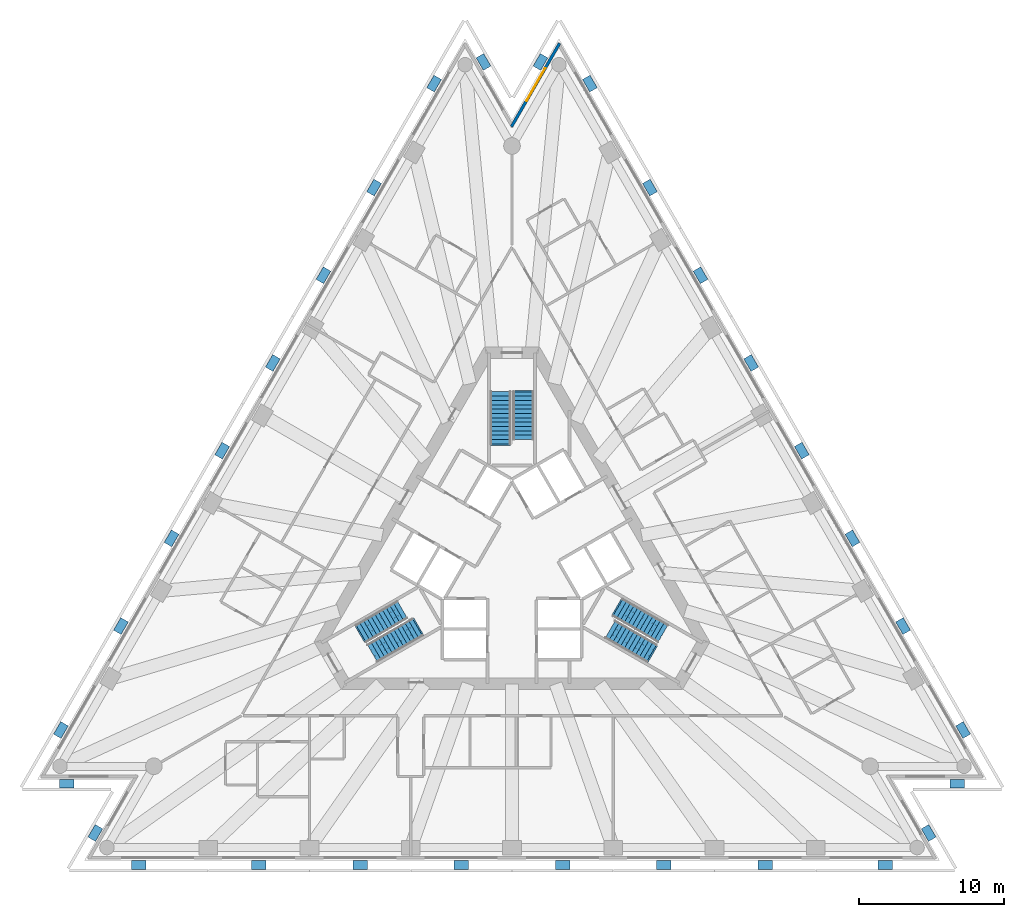
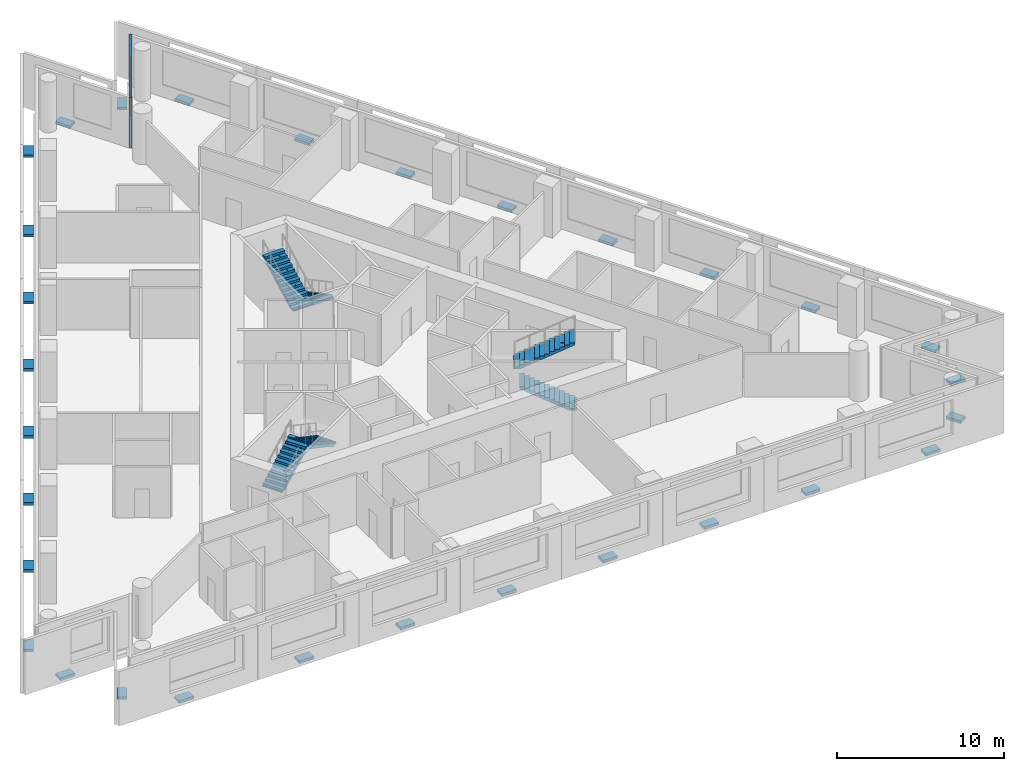
# One storey, part 8 of 10: 30 discrete accessories, 6 stair flights, 1 wall, 1 window, 1 opening, 3 elements without a shape of their own.
"""IFC4 building model written with IfcOpenShell, lengths in metres."""

import ifcopenshell
import ifcopenshell.guid

model = None  # the IFC model being written
_history = None  # IfcOwnerHistory: only IFC2X3 demands one
_inside = {}  # id of a spatial element -> (the spatial element, [elements in it])
_under = {}  # id of a project, library or spatial element -> (it, [spatial elements below it])
_declared = {}  # id of a project -> (the project, [libraries it declares])
_typed = {}  # id of a type object -> (the type object, [elements of that type])
_made_of = {}  # id of a material, layer set ... -> (it, [elements and type objects made of it])


def new_model(schema):
    """Start an empty IFC model of exactly this schema.

    Asked for "IFC4X3", IfcOpenShell would pick the latest addendum, in which some entities
    have other attributes; the version numbers below select the first issue.
    IFC2X3 requires an IfcOwnerHistory on every rooted entity: one is made here for all.
    """
    global model, _history
    if schema == "IFC4X3":
        model = ifcopenshell.file(schema_version=(4, 3, 0, 0))
    else:
        model = ifcopenshell.file(schema=schema)
    _inside.clear()
    _under.clear()
    _declared.clear()
    _typed.clear()
    _made_of.clear()
    _history = None
    if model.schema == "IFC2X3":
        org = make("IfcOrganization", Name="unknown")
        user = make(
            "IfcPersonAndOrganization",
            ThePerson=make("IfcPerson", FamilyName="unknown"),
            TheOrganization=org,
        )
        app = make(
            "IfcApplication",
            ApplicationDeveloper=org,
            Version="unknown",
            ApplicationFullName="unknown",
            ApplicationIdentifier="unknown",
        )
        _history = make(
            "IfcOwnerHistory",
            OwningUser=user,
            OwningApplication=app,
            ChangeAction="ADDED",
            CreationDate=0,
        )
    return model


def make(cls, **values):
    """One entity of the class cls with the attributes given. An attribute that is None is left unset."""
    return model.create_entity(
        cls, **{name: value for name, value in values.items() if value is not None}
    )


def rooted(cls, **values):
    """An entity with a GlobalId (a new one), such as an element, a storey or a relation."""
    return make(cls, GlobalId=ifcopenshell.guid.new(), OwnerHistory=_history, **values)


def si_unit(unit_type, name, prefix=None):
    """IfcSIUnit, for example si_unit("LENGTHUNIT", "METRE", prefix="MILLI")."""
    return make("IfcSIUnit", UnitType=unit_type, Prefix=prefix, Name=name)


def assignment(units):
    """IfcUnitAssignment: the units of a project."""
    return None if units is None else make("IfcUnitAssignment", Units=units)


def point(xyz):
    """IfcCartesianPoint."""
    return None if xyz is None else make("IfcCartesianPoint", Coordinates=xyz)


def direction(xyz):
    """IfcDirection."""
    return None if xyz is None else make("IfcDirection", DirectionRatios=xyz)


def frame(location, z_axis=None, x_axis=None):
    """IfcAxis2Placement3D, a coordinate frame: its origin and axes. An axis left out is left unset."""
    return make(
        "IfcAxis2Placement3D",
        Location=point(location),
        Axis=direction(z_axis),
        RefDirection=direction(x_axis),
    )


def frame_2d(location, x_axis=None):
    """IfcAxis2Placement2D, a coordinate frame in the plane: its origin and x axis."""
    return make(
        "IfcAxis2Placement2D", Location=point(location), RefDirection=direction(x_axis)
    )


def origin():
    """The frame at (0, 0, 0) with its axes left unset."""
    return frame((0.0, 0.0, 0.0))


def origin_2d():
    """The frame at (0, 0) in the plane with its x axis left unset."""
    return frame_2d((0.0, 0.0))


def place(relative_to, where):
    """IfcLocalPlacement: puts the frame where relative to a parent placement (None: the world)."""
    return make(
        "IfcLocalPlacement", PlacementRelTo=relative_to, RelativePlacement=where
    )


def context(
    kind, dimensions, precision=None, world=None, true_north=None, identifier=None
):
    """IfcGeometricRepresentationContext, for example the 3D "Model" context."""
    return make(
        "IfcGeometricRepresentationContext",
        ContextIdentifier=identifier,
        ContextType=kind,
        CoordinateSpaceDimension=dimensions,
        Precision=precision,
        WorldCoordinateSystem=world,
        TrueNorth=true_north,
    )


def subcontext(parent, identifier, kind, view, scale=None):
    """IfcGeometricRepresentationSubContext, for example "Body" below "Model"."""
    return make(
        "IfcGeometricRepresentationSubContext",
        ContextIdentifier=identifier,
        ContextType=kind,
        ParentContext=parent,
        TargetScale=scale,
        TargetView=view,
    )


def project(units=None, contexts=None):
    """IfcProject with its units and contexts."""
    return rooted(
        "IfcProject",
        Name="project",
        RepresentationContexts=contexts,
        UnitsInContext=assignment(units),
    )


def spatial(cls, under=None, at=None, **own):
    """A site, building, storey or space (cls), placed at a placement, below another one or the project."""
    s = rooted(cls, ObjectPlacement=at, **own)
    if under is not None:
        _under.setdefault(under.id(), (under, []))[1].append(s)
    return s


def polyline(points):
    """IfcPolyline through the points."""
    return make("IfcPolyline", Points=[point(p) for p in points])


def profile(cls, at=None, kind="AREA", **sizes):
    """A parametric profile (cls). Its sizes go by their IFC names, for example OverallWidth=200.0."""
    return make(cls, ProfileType=kind, Position=at, **sizes)


def rectangle(**sizes):
    """IfcRectangleProfileDef."""
    return profile("IfcRectangleProfileDef", **sizes)


def outline(outer, holes=None, kind="AREA"):
    """IfcArbitraryClosedProfileDef: a profile drawn as a closed curve; with holes, ...WithVoids."""
    if holes is None:
        return make("IfcArbitraryClosedProfileDef", ProfileType=kind, OuterCurve=outer)
    return make(
        "IfcArbitraryProfileDefWithVoids",
        ProfileType=kind,
        OuterCurve=outer,
        InnerCurves=holes,
    )


def extrude(swept, where, along, depth):
    """IfcExtrudedAreaSolid: the profile swept, set in the frame where, extruded along a direction by depth."""
    return make(
        "IfcExtrudedAreaSolid",
        SweptArea=swept,
        Position=where,
        ExtrudedDirection=direction(along),
        Depth=depth,
    )


def shape(context_of_items, identifier, shape_type, items):
    """IfcShapeRepresentation: the items that make up one representation, for example the "Body"."""
    return make(
        "IfcShapeRepresentation",
        ContextOfItems=context_of_items,
        RepresentationIdentifier=identifier,
        RepresentationType=shape_type,
        Items=items,
    )


def material(Name=None, Category=None):
    """IfcMaterial."""
    return make("IfcMaterial", Name=Name, Category=Category)


def layer(
    of_material, thickness, ventilated=None, Name=None, Category=None, Priority=None
):
    """IfcMaterialLayer: one layer of a wall or slab, of a material (None: an air gap)."""
    return make(
        "IfcMaterialLayer",
        Material=of_material,
        LayerThickness=thickness,
        IsVentilated=ventilated,
        Name=Name,
        Category=Category,
        Priority=Priority,
    )


def layer_set(layers, Name=None):
    """IfcMaterialLayerSet."""
    return make("IfcMaterialLayerSet", MaterialLayers=layers, LayerSetName=Name)


def layer_usage(for_layer_set, set_direction, sense, offset, extent=None):
    """IfcMaterialLayerSetUsage: how a layer set lies in its element."""
    return make(
        "IfcMaterialLayerSetUsage",
        ForLayerSet=for_layer_set,
        LayerSetDirection=set_direction,
        DirectionSense=sense,
        OffsetFromReferenceLine=offset,
        ReferenceExtent=extent,
    )


def made_of(thing, what):
    """Note that an element or type object is made of a material, layer set ...; save() writes the relation."""
    if what is not None:
        _made_of.setdefault(what.id(), (what, []))[1].append(thing)
    return thing


def type_object(cls, material=None, **own):
    """A type object (cls), such as IfcWallType, which elements share."""
    return made_of(rooted(cls, **own), material)


def element(
    cls,
    number,
    at=None,
    inside=None,
    cuts=None,
    type_object=None,
    material=None,
    context=None,
    identifier="Body",
    shape_type=None,
    held_by="IfcProductDefinitionShape",
    body=None,
    shapes=None,
    **own,
):
    """One element of the class cls, such as IfcWall. Its Tag is "e" and its number.

    at: its placement. inside: the storey or other place that contains it. cuts: it is an
    opening in that element (IfcRelVoidsElement). A single representation is given by context,
    identifier, shape_type and body (its items); several are given by shapes. held_by: the class
    of the entity that holds the representations. save() writes the other relations.
    """
    e = rooted(cls, Tag="e%d" % number, ObjectPlacement=at, **own)
    if body is not None:
        shapes = [shape(context, identifier, shape_type, body)]
    if shapes is not None:
        e.Representation = make(held_by, Representations=shapes)
    if inside is not None:
        _inside.setdefault(inside.id(), (inside, []))[1].append(e)
    if cuts is not None:
        rooted(
            "IfcRelVoidsElement", RelatingBuildingElement=cuts, RelatedOpeningElement=e
        )
    if type_object is not None:
        _typed.setdefault(type_object.id(), (type_object, []))[1].append(e)
    return made_of(e, material)


def fill(opening, filler):
    """IfcRelFillsElement: the door or window that sits in an opening."""
    return rooted(
        "IfcRelFillsElement",
        RelatingOpeningElement=opening,
        RelatedBuildingElement=filler,
    )


def aggregate(whole, parts):
    """IfcRelAggregates: a whole, such as a stair, and the parts it consists of."""
    return rooted("IfcRelAggregates", RelatingObject=whole, RelatedObjects=parts)


def save(model, path):
    """Write the relations noted so far, then the file.

    IfcRelAggregates (storeys below a building ...), IfcRelContainedInSpatialStructure (elements
    in a storey), IfcRelDefinesByType, IfcRelAssociatesMaterial and IfcRelDeclares: one each for
    every whole, place, type object, material and project.
    """
    for whole, parts in _under.values():
        aggregate(whole, parts)
    for where, things in _inside.values():
        rooted(
            "IfcRelContainedInSpatialStructure",
            RelatedElements=things,
            RelatingStructure=where,
        )
    for kind, things in _typed.values():
        rooted("IfcRelDefinesByType", RelatedObjects=things, RelatingType=kind)
    for what, things in _made_of.values():
        rooted("IfcRelAssociatesMaterial", RelatedObjects=things, RelatingMaterial=what)
    for by, libraries in _declared.values():
        rooted("IfcRelDeclares", RelatingContext=by, RelatedDefinitions=libraries)
    model.write(path)


model = new_model("IFC4")

# Units and contexts
model_context = context("Model", 3, precision=1e-05, world=origin(), true_north=direction((0.0, 1.0)))
body_context = subcontext(model_context, "Body", "Model", "MODEL_VIEW")
ifc_project = project(units=[si_unit("LENGTHUNIT", "METRE"), si_unit("AREAUNIT", "SQUARE_METRE"), si_unit("VOLUMEUNIT", "CUBIC_METRE"), si_unit("PLANEANGLEUNIT", "RADIAN"), si_unit("MASSUNIT", "GRAM", prefix="KILO")], contexts=[model_context])

# Site, building, storey
site_placement = place(None, origin())
site = spatial("IfcSite", under=ifc_project, at=site_placement, CompositionType="ELEMENT")
building_placement = place(site_placement, origin())
building = spatial("IfcBuilding", under=site, at=building_placement, Name="Triada Interchange Tower", CompositionType="ELEMENT")
storey_placement = place(building_placement, frame((0.0, 0.0, 104.300048828125)))
storey = spatial("IfcBuildingStorey", under=building, at=storey_placement, Name="L23", CompositionType="ELEMENT", Elevation=104.300048828125)

# Wall, opening, window
ifc_material_1 = material(Name="Cement board")
ifc_layer_1 = layer(ifc_material_1, 0.02001953125, Name="Cement board cladding")
ifc_material_2 = material(Name="Sheathing board")
ifc_layer_2 = layer(ifc_material_2, 0.014892578125, Name="Sheathing board")
ifc_material_3 = material(Name="Mineral wool")
ifc_layer_3 = layer(ifc_material_3, 0.14990234375, Name="Mineral wool between steel studs")
ifc_material_4 = material(Name="Gypsum board")
ifc_layer_4 = layer(ifc_material_4, 0.014892578125, Name="Plasterboard lining")
ifc_layer_set = layer_set([ifc_layer_1, ifc_layer_2, ifc_layer_3, ifc_layer_4], Name="External wall 200")
ifc_layer_usage = layer_usage(ifc_layer_set, "AXIS2", "POSITIVE", -0.10009765625)
wall_type = type_object("IfcWallType", Name="External wall 200", PredefinedType="ELEMENTEDWALL", material=ifc_layer_set)
wall_placement = place(storey_placement, frame((3.2900390625, 35.69091796875, 0.0), z_axis=(0.0, 0.0, 1.0), x_axis=(-0.49999681972, -0.866027239912, 0.0)))
wall = element("IfcWall", 1, at=wall_placement, inside=storey, type_object=wall_type, material=ifc_layer_usage, Name="External wall L23 N-1", PredefinedType="ELEMENTEDWALL", context=body_context, shape_type="SweptSolid", body=[
    extrude(rectangle(XDim=6.64990234375, YDim=0.199951171875, at=frame_2d((3.324951171875, 0.0))), origin(), (0.0, 0.0, 1.0), 3.699951171875),
])
opening_placement = place(wall_placement, frame((1.989990234375, 0.0, 0.89990234375)))
opening = element("IfcOpeningElement", 2, at=opening_placement, cuts=wall, Name="Opening WB29", PredefinedType="OPENING", context=body_context, shape_type="SweptSolid", body=[
    extrude(rectangle(XDim=2.60009765625, YDim=2.5, at=frame_2d((1.300048828125, 1.25))), frame((0.0, 0.10986328125, 0.0), z_axis=(0.0, -1.0, 0.0), x_axis=(1.0, 0.0, 0.0)), (0.0, 0.0, 1.0), 0.219970703125),
])
ifc_material_5 = material(Name="Double glazed aluminium window", Category="aluminium")
window_type = type_object("IfcWindowType", Name="Ribbon window B pocket", PartitioningType="SINGLE_PANEL", PredefinedType="WINDOW", material=ifc_material_5)
window_placement = place(opening_placement, origin())
window = element("IfcWindow", 3, at=window_placement, inside=storey, type_object=window_type, Name="Window L23 N-1 1", OverallHeight=2.5, OverallWidth=2.60009765625, PartitioningType="SINGLE_PANEL", PredefinedType="WINDOW", context=body_context, shape_type="SweptSolid", body=[
    extrude(rectangle(XDim=2.60009765625, YDim=2.5, at=frame_2d((1.300048828125, 1.25))), frame((0.0, 0.030029296875, 0.0), z_axis=(0.0, -1.0, 0.0), x_axis=(1.0, 0.0, 0.0)), (0.0, 0.0, 1.0), 0.06005859375),
])
fill(opening, window)

# Stair, stair flights
ifc_material_6 = material(Name="Concrete C35/45", Category="concrete")
stair_type = type_object("IfcStairType", Name="HALF TURN STAIR 1400", PredefinedType="HALF_TURN_STAIR", material=ifc_material_6)
stair_1_placement = place(storey_placement, origin())
stair_1 = element("IfcStair", 4, at=stair_1_placement, inside=storey, type_object=stair_type, Name="Exit stair S23-1", PredefinedType="HALF_TURN_STAIR")
stair_flight_type = type_object("IfcStairFlightType", Name="STRAIGHT STAIR FLIGHT 1400", PredefinedType="STRAIGHT", material=ifc_material_6)
stair_flight_1_placement = place(storey_placement, frame((0.800048828125, 11.60009765625, 0.0), z_axis=(0.0, 0.0, 1.0), x_axis=(0.0, -1.0, 0.0)))
stair_flight_1 = element("IfcStairFlight", 5, at=stair_flight_1_placement, type_object=stair_flight_type, Name="S23-1 flight 1", NumberOfRisers=12, NumberOfTreads=11, PredefinedType="STRAIGHT", RiserHeight=0.16, TreadLength=0.3, context=body_context, shape_type="SweptSolid", body=[
    extrude(outline(polyline([(-0.10009765625, 0.0), (-0.10009765625, 0.02001953125), (0.0, 0.02001953125), (0.0, 0.159912109375), (0.300048828125, 0.159912109375), (0.300048828125, 0.320068359375), (0.60009765625, 0.320068359375), (0.60009765625, 0.47998046875), (0.89990234375, 0.47998046875), (0.89990234375, 0.639892578125), (1.199951171875, 0.639892578125), (1.199951171875, 0.800048828125), (1.5, 0.800048828125), (1.5, 0.9599609375), (1.800048828125, 0.9599609375), (1.800048828125, 1.1201171875), (2.10009765625, 1.1201171875), (2.10009765625, 1.280029296875), (2.39990234375, 1.280029296875), (2.39990234375, 1.43994140625), (2.699951171875, 1.43994140625), (2.699951171875, 1.60009765625), (3.0, 1.60009765625), (3.0, 1.760009765625), (3.300048828125, 1.760009765625), (3.303955078125, 1.760009765625), (3.303955078125, 1.919921875), (3.303955078125, 1.590087890625), (0.318603515625, 0.0), (-0.10009765625, 0.0)])), frame((0.0, 0.699951171875, 0.0), z_axis=(0.0, -1.0, 0.0), x_axis=(1.0, 0.0, 0.0)), (0.0, 0.0, 1.0), 0.46533203125),
    extrude(outline(polyline([(-0.10009765625, 0.0), (-0.10009765625, 0.02001953125), (0.0, 0.02001953125), (0.0, 0.159912109375), (0.300048828125, 0.159912109375), (0.300048828125, 0.320068359375), (0.60009765625, 0.320068359375), (0.60009765625, 0.47998046875), (0.89990234375, 0.47998046875), (0.89990234375, 0.639892578125), (1.199951171875, 0.639892578125), (1.199951171875, 0.800048828125), (1.5, 0.800048828125), (1.5, 0.9599609375), (1.800048828125, 0.9599609375), (1.800048828125, 1.1201171875), (2.10009765625, 1.1201171875), (2.10009765625, 1.280029296875), (2.39990234375, 1.280029296875), (2.39990234375, 1.43994140625), (2.699951171875, 1.43994140625), (2.699951171875, 1.60009765625), (3.0, 1.60009765625), (3.0, 1.760009765625), (3.300048828125, 1.760009765625), (3.303955078125, 1.760009765625), (3.303955078125, 1.919921875), (3.303955078125, 1.590087890625), (0.318603515625, 0.0), (-0.10009765625, 0.0)])), frame((0.0, 0.232666015625, 0.0), z_axis=(0.0, -1.0, 0.0), x_axis=(1.0, 0.0, 0.0)), (0.0, 0.0, 1.0), 0.46533203125),
    extrude(outline(polyline([(-0.10009765625, 0.0), (-0.10009765625, 0.02001953125), (0.0, 0.02001953125), (0.0, 0.159912109375), (0.300048828125, 0.159912109375), (0.300048828125, 0.320068359375), (0.60009765625, 0.320068359375), (0.60009765625, 0.47998046875), (0.89990234375, 0.47998046875), (0.89990234375, 0.639892578125), (1.199951171875, 0.639892578125), (1.199951171875, 0.800048828125), (1.5, 0.800048828125), (1.5, 0.9599609375), (1.800048828125, 0.9599609375), (1.800048828125, 1.1201171875), (2.10009765625, 1.1201171875), (2.10009765625, 1.280029296875), (2.39990234375, 1.280029296875), (2.39990234375, 1.43994140625), (2.699951171875, 1.43994140625), (2.699951171875, 1.60009765625), (3.0, 1.60009765625), (3.0, 1.760009765625), (3.300048828125, 1.760009765625), (3.303955078125, 1.760009765625), (3.303955078125, 1.919921875), (3.303955078125, 1.590087890625), (0.318603515625, 0.0), (-0.10009765625, 0.0)])), frame((0.0, -0.234619140625, 0.0), z_axis=(0.0, -1.0, 0.0), x_axis=(1.0, 0.0, 0.0)), (0.0, 0.0, 1.0), 0.46533203125),
])
stair_flight_2_placement = place(storey_placement, frame((-0.800048828125, 8.0, 1.919921875), z_axis=(0.0, 0.0, 1.0), x_axis=(0.0, 1.0, 0.0)))
stair_flight_2 = element("IfcStairFlight", 6, at=stair_flight_2_placement, type_object=stair_flight_type, Name="S23-1 flight 2", NumberOfRisers=13, NumberOfTreads=12, PredefinedType="STRAIGHT", RiserHeight=0.16, TreadLength=0.3, context=body_context, shape_type="SweptSolid", body=[
    extrude(outline(polyline([(-0.10009765625, 0.0), (-0.10009765625, 0.02001953125), (0.0, 0.02001953125), (0.0, 0.159912109375), (0.300048828125, 0.159912109375), (0.300048828125, 0.320068359375), (0.60009765625, 0.320068359375), (0.60009765625, 0.47998046875), (0.89990234375, 0.47998046875), (0.89990234375, 0.639892578125), (1.199951171875, 0.639892578125), (1.199951171875, 0.800048828125), (1.5, 0.800048828125), (1.5, 0.9599609375), (1.800048828125, 0.9599609375), (1.800048828125, 1.1201171875), (2.10009765625, 1.1201171875), (2.10009765625, 1.280029296875), (2.39990234375, 1.280029296875), (2.39990234375, 1.43994140625), (2.699951171875, 1.43994140625), (2.699951171875, 1.60009765625), (3.0, 1.60009765625), (3.0, 1.760009765625), (3.300048828125, 1.760009765625), (3.300048828125, 1.919921875), (3.60009765625, 1.919921875), (3.60400390625, 1.919921875), (3.60400390625, 2.080078125), (3.60400390625, 1.75), (0.318603515625, 0.0), (-0.10009765625, 0.0)])), frame((0.0, 0.699951171875, 0.0), z_axis=(0.0, -1.0, 0.0), x_axis=(1.0, 0.0, 0.0)), (0.0, 0.0, 1.0), 0.46533203125),
    extrude(outline(polyline([(-0.10009765625, 0.0), (-0.10009765625, 0.02001953125), (0.0, 0.02001953125), (0.0, 0.159912109375), (0.300048828125, 0.159912109375), (0.300048828125, 0.320068359375), (0.60009765625, 0.320068359375), (0.60009765625, 0.47998046875), (0.89990234375, 0.47998046875), (0.89990234375, 0.639892578125), (1.199951171875, 0.639892578125), (1.199951171875, 0.800048828125), (1.5, 0.800048828125), (1.5, 0.9599609375), (1.800048828125, 0.9599609375), (1.800048828125, 1.1201171875), (2.10009765625, 1.1201171875), (2.10009765625, 1.280029296875), (2.39990234375, 1.280029296875), (2.39990234375, 1.43994140625), (2.699951171875, 1.43994140625), (2.699951171875, 1.60009765625), (3.0, 1.60009765625), (3.0, 1.760009765625), (3.300048828125, 1.760009765625), (3.300048828125, 1.919921875), (3.60009765625, 1.919921875), (3.60400390625, 1.919921875), (3.60400390625, 2.080078125), (3.60400390625, 1.75), (0.318603515625, 0.0), (-0.10009765625, 0.0)])), frame((0.0, 0.232666015625, 0.0), z_axis=(0.0, -1.0, 0.0), x_axis=(1.0, 0.0, 0.0)), (0.0, 0.0, 1.0), 0.46533203125),
    extrude(outline(polyline([(-0.10009765625, 0.0), (-0.10009765625, 0.02001953125), (0.0, 0.02001953125), (0.0, 0.159912109375), (0.300048828125, 0.159912109375), (0.300048828125, 0.320068359375), (0.60009765625, 0.320068359375), (0.60009765625, 0.47998046875), (0.89990234375, 0.47998046875), (0.89990234375, 0.639892578125), (1.199951171875, 0.639892578125), (1.199951171875, 0.800048828125), (1.5, 0.800048828125), (1.5, 0.9599609375), (1.800048828125, 0.9599609375), (1.800048828125, 1.1201171875), (2.10009765625, 1.1201171875), (2.10009765625, 1.280029296875), (2.39990234375, 1.280029296875), (2.39990234375, 1.43994140625), (2.699951171875, 1.43994140625), (2.699951171875, 1.60009765625), (3.0, 1.60009765625), (3.0, 1.760009765625), (3.300048828125, 1.760009765625), (3.300048828125, 1.919921875), (3.60009765625, 1.919921875), (3.60400390625, 1.919921875), (3.60400390625, 2.080078125), (3.60400390625, 1.75), (0.318603515625, 0.0), (-0.10009765625, 0.0)])), frame((0.0, -0.234619140625, 0.0), z_axis=(0.0, -1.0, 0.0), x_axis=(1.0, 0.0, 0.0)), (0.0, 0.0, 1.0), 0.46533203125),
])
aggregate(stair_1, [stair_flight_1, stair_flight_2])

stair_2_placement = place(storey_placement, origin())
stair_2 = element("IfcStair", 7, at=stair_2_placement, inside=storey, type_object=stair_type, Name="Exit stair S23-2", PredefinedType="HALF_TURN_STAIR")
stair_flight_3_placement = place(storey_placement, frame((-10.446044921875, -5.10693359375, 0.0), z_axis=(0.0, 0.0, 1.0), x_axis=(0.866025403784, 0.5, 0.0)))
stair_flight_3 = element("IfcStairFlight", 8, at=stair_flight_3_placement, type_object=stair_flight_type, Name="S23-2 flight 1", NumberOfRisers=12, NumberOfTreads=11, PredefinedType="STRAIGHT", RiserHeight=0.16, TreadLength=0.3, context=body_context, shape_type="SweptSolid", body=[
    extrude(outline(polyline([(-0.10009765625, 0.0), (-0.10009765625, 0.02001953125), (0.0, 0.02001953125), (0.0, 0.159912109375), (0.300048828125, 0.159912109375), (0.300048828125, 0.320068359375), (0.60009765625, 0.320068359375), (0.60009765625, 0.47998046875), (0.89990234375, 0.47998046875), (0.89990234375, 0.639892578125), (1.199951171875, 0.639892578125), (1.199951171875, 0.800048828125), (1.5, 0.800048828125), (1.5, 0.9599609375), (1.800048828125, 0.9599609375), (1.800048828125, 1.1201171875), (2.10009765625, 1.1201171875), (2.10009765625, 1.280029296875), (2.39990234375, 1.280029296875), (2.39990234375, 1.43994140625), (2.699951171875, 1.43994140625), (2.699951171875, 1.60009765625), (3.0, 1.60009765625), (3.0, 1.760009765625), (3.300048828125, 1.760009765625), (3.303955078125, 1.760009765625), (3.303955078125, 1.919921875), (3.303955078125, 1.590087890625), (0.318603515625, 0.0), (-0.10009765625, 0.0)])), frame((0.0, 0.699951171875, 0.0), z_axis=(0.0, -1.0, 0.0), x_axis=(1.0, 0.0, 0.0)), (0.0, 0.0, 1.0), 0.46533203125),
    extrude(outline(polyline([(-0.10009765625, 0.0), (-0.10009765625, 0.02001953125), (0.0, 0.02001953125), (0.0, 0.159912109375), (0.300048828125, 0.159912109375), (0.300048828125, 0.320068359375), (0.60009765625, 0.320068359375), (0.60009765625, 0.47998046875), (0.89990234375, 0.47998046875), (0.89990234375, 0.639892578125), (1.199951171875, 0.639892578125), (1.199951171875, 0.800048828125), (1.5, 0.800048828125), (1.5, 0.9599609375), (1.800048828125, 0.9599609375), (1.800048828125, 1.1201171875), (2.10009765625, 1.1201171875), (2.10009765625, 1.280029296875), (2.39990234375, 1.280029296875), (2.39990234375, 1.43994140625), (2.699951171875, 1.43994140625), (2.699951171875, 1.60009765625), (3.0, 1.60009765625), (3.0, 1.760009765625), (3.300048828125, 1.760009765625), (3.303955078125, 1.760009765625), (3.303955078125, 1.919921875), (3.303955078125, 1.590087890625), (0.318603515625, 0.0), (-0.10009765625, 0.0)])), frame((0.0, 0.232666015625, 0.0), z_axis=(0.0, -1.0, 0.0), x_axis=(1.0, 0.0, 0.0)), (0.0, 0.0, 1.0), 0.46533203125),
    extrude(outline(polyline([(-0.10009765625, 0.0), (-0.10009765625, 0.02001953125), (0.0, 0.02001953125), (0.0, 0.159912109375), (0.300048828125, 0.159912109375), (0.300048828125, 0.320068359375), (0.60009765625, 0.320068359375), (0.60009765625, 0.47998046875), (0.89990234375, 0.47998046875), (0.89990234375, 0.639892578125), (1.199951171875, 0.639892578125), (1.199951171875, 0.800048828125), (1.5, 0.800048828125), (1.5, 0.9599609375), (1.800048828125, 0.9599609375), (1.800048828125, 1.1201171875), (2.10009765625, 1.1201171875), (2.10009765625, 1.280029296875), (2.39990234375, 1.280029296875), (2.39990234375, 1.43994140625), (2.699951171875, 1.43994140625), (2.699951171875, 1.60009765625), (3.0, 1.60009765625), (3.0, 1.760009765625), (3.300048828125, 1.760009765625), (3.303955078125, 1.760009765625), (3.303955078125, 1.919921875), (3.303955078125, 1.590087890625), (0.318603515625, 0.0), (-0.10009765625, 0.0)])), frame((0.0, -0.234619140625, 0.0), z_axis=(0.0, -1.0, 0.0), x_axis=(1.0, 0.0, 0.0)), (0.0, 0.0, 1.0), 0.46533203125),
])
stair_flight_4_placement = place(storey_placement, frame((-6.528076171875, -4.693115234375, 1.919921875), z_axis=(0.0, 0.0, 1.0), x_axis=(-0.866025403784, -0.5, 0.0)))
stair_flight_4 = element("IfcStairFlight", 9, at=stair_flight_4_placement, type_object=stair_flight_type, Name="S23-2 flight 2", NumberOfRisers=13, NumberOfTreads=12, PredefinedType="STRAIGHT", RiserHeight=0.16, TreadLength=0.3, context=body_context, shape_type="SweptSolid", body=[
    extrude(outline(polyline([(-0.10009765625, 0.0), (-0.10009765625, 0.02001953125), (0.0, 0.02001953125), (0.0, 0.159912109375), (0.300048828125, 0.159912109375), (0.300048828125, 0.320068359375), (0.60009765625, 0.320068359375), (0.60009765625, 0.47998046875), (0.89990234375, 0.47998046875), (0.89990234375, 0.639892578125), (1.199951171875, 0.639892578125), (1.199951171875, 0.800048828125), (1.5, 0.800048828125), (1.5, 0.9599609375), (1.800048828125, 0.9599609375), (1.800048828125, 1.1201171875), (2.10009765625, 1.1201171875), (2.10009765625, 1.280029296875), (2.39990234375, 1.280029296875), (2.39990234375, 1.43994140625), (2.699951171875, 1.43994140625), (2.699951171875, 1.60009765625), (3.0, 1.60009765625), (3.0, 1.760009765625), (3.300048828125, 1.760009765625), (3.300048828125, 1.919921875), (3.60009765625, 1.919921875), (3.60400390625, 1.919921875), (3.60400390625, 2.080078125), (3.60400390625, 1.75), (0.318603515625, 0.0), (-0.10009765625, 0.0)])), frame((0.0, 0.699951171875, 0.0), z_axis=(0.0, -1.0, 0.0), x_axis=(1.0, 0.0, 0.0)), (0.0, 0.0, 1.0), 0.46533203125),
    extrude(outline(polyline([(-0.10009765625, 0.0), (-0.10009765625, 0.02001953125), (0.0, 0.02001953125), (0.0, 0.159912109375), (0.300048828125, 0.159912109375), (0.300048828125, 0.320068359375), (0.60009765625, 0.320068359375), (0.60009765625, 0.47998046875), (0.89990234375, 0.47998046875), (0.89990234375, 0.639892578125), (1.199951171875, 0.639892578125), (1.199951171875, 0.800048828125), (1.5, 0.800048828125), (1.5, 0.9599609375), (1.800048828125, 0.9599609375), (1.800048828125, 1.1201171875), (2.10009765625, 1.1201171875), (2.10009765625, 1.280029296875), (2.39990234375, 1.280029296875), (2.39990234375, 1.43994140625), (2.699951171875, 1.43994140625), (2.699951171875, 1.60009765625), (3.0, 1.60009765625), (3.0, 1.760009765625), (3.300048828125, 1.760009765625), (3.300048828125, 1.919921875), (3.60009765625, 1.919921875), (3.60400390625, 1.919921875), (3.60400390625, 2.080078125), (3.60400390625, 1.75), (0.318603515625, 0.0), (-0.10009765625, 0.0)])), frame((0.0, 0.232666015625, 0.0), z_axis=(0.0, -1.0, 0.0), x_axis=(1.0, 0.0, 0.0)), (0.0, 0.0, 1.0), 0.46533203125),
    extrude(outline(polyline([(-0.10009765625, 0.0), (-0.10009765625, 0.02001953125), (0.0, 0.02001953125), (0.0, 0.159912109375), (0.300048828125, 0.159912109375), (0.300048828125, 0.320068359375), (0.60009765625, 0.320068359375), (0.60009765625, 0.47998046875), (0.89990234375, 0.47998046875), (0.89990234375, 0.639892578125), (1.199951171875, 0.639892578125), (1.199951171875, 0.800048828125), (1.5, 0.800048828125), (1.5, 0.9599609375), (1.800048828125, 0.9599609375), (1.800048828125, 1.1201171875), (2.10009765625, 1.1201171875), (2.10009765625, 1.280029296875), (2.39990234375, 1.280029296875), (2.39990234375, 1.43994140625), (2.699951171875, 1.43994140625), (2.699951171875, 1.60009765625), (3.0, 1.60009765625), (3.0, 1.760009765625), (3.300048828125, 1.760009765625), (3.300048828125, 1.919921875), (3.60009765625, 1.919921875), (3.60400390625, 1.919921875), (3.60400390625, 2.080078125), (3.60400390625, 1.75), (0.318603515625, 0.0), (-0.10009765625, 0.0)])), frame((0.0, -0.234619140625, 0.0), z_axis=(0.0, -1.0, 0.0), x_axis=(1.0, 0.0, 0.0)), (0.0, 0.0, 1.0), 0.46533203125),
])
aggregate(stair_2, [stair_flight_3, stair_flight_4])

stair_3_placement = place(storey_placement, origin())
stair_3 = element("IfcStair", 10, at=stair_3_placement, inside=storey, type_object=stair_type, Name="Exit stair S23-3", PredefinedType="HALF_TURN_STAIR")
stair_flight_5_placement = place(storey_placement, frame((9.64599609375, -6.492919921875, 0.0), z_axis=(0.0, 0.0, 1.0), x_axis=(-0.866025403784, 0.5, 0.0)))
stair_flight_5 = element("IfcStairFlight", 11, at=stair_flight_5_placement, type_object=stair_flight_type, Name="S23-3 flight 1", NumberOfRisers=12, NumberOfTreads=11, PredefinedType="STRAIGHT", RiserHeight=0.16, TreadLength=0.3, context=body_context, shape_type="SweptSolid", body=[
    extrude(outline(polyline([(-0.10009765625, 0.0), (-0.10009765625, 0.02001953125), (0.0, 0.02001953125), (0.0, 0.159912109375), (0.300048828125, 0.159912109375), (0.300048828125, 0.320068359375), (0.60009765625, 0.320068359375), (0.60009765625, 0.47998046875), (0.89990234375, 0.47998046875), (0.89990234375, 0.639892578125), (1.199951171875, 0.639892578125), (1.199951171875, 0.800048828125), (1.5, 0.800048828125), (1.5, 0.9599609375), (1.800048828125, 0.9599609375), (1.800048828125, 1.1201171875), (2.10009765625, 1.1201171875), (2.10009765625, 1.280029296875), (2.39990234375, 1.280029296875), (2.39990234375, 1.43994140625), (2.699951171875, 1.43994140625), (2.699951171875, 1.60009765625), (3.0, 1.60009765625), (3.0, 1.760009765625), (3.300048828125, 1.760009765625), (3.303955078125, 1.760009765625), (3.303955078125, 1.919921875), (3.303955078125, 1.590087890625), (0.318603515625, 0.0), (-0.10009765625, 0.0)])), frame((0.0, 0.699951171875, 0.0), z_axis=(0.0, -1.0, 0.0), x_axis=(1.0, 0.0, 0.0)), (0.0, 0.0, 1.0), 0.46533203125),
    extrude(outline(polyline([(-0.10009765625, 0.0), (-0.10009765625, 0.02001953125), (0.0, 0.02001953125), (0.0, 0.159912109375), (0.300048828125, 0.159912109375), (0.300048828125, 0.320068359375), (0.60009765625, 0.320068359375), (0.60009765625, 0.47998046875), (0.89990234375, 0.47998046875), (0.89990234375, 0.639892578125), (1.199951171875, 0.639892578125), (1.199951171875, 0.800048828125), (1.5, 0.800048828125), (1.5, 0.9599609375), (1.800048828125, 0.9599609375), (1.800048828125, 1.1201171875), (2.10009765625, 1.1201171875), (2.10009765625, 1.280029296875), (2.39990234375, 1.280029296875), (2.39990234375, 1.43994140625), (2.699951171875, 1.43994140625), (2.699951171875, 1.60009765625), (3.0, 1.60009765625), (3.0, 1.760009765625), (3.300048828125, 1.760009765625), (3.303955078125, 1.760009765625), (3.303955078125, 1.919921875), (3.303955078125, 1.590087890625), (0.318603515625, 0.0), (-0.10009765625, 0.0)])), frame((0.0, 0.232666015625, 0.0), z_axis=(0.0, -1.0, 0.0), x_axis=(1.0, 0.0, 0.0)), (0.0, 0.0, 1.0), 0.46533203125),
    extrude(outline(polyline([(-0.10009765625, 0.0), (-0.10009765625, 0.02001953125), (0.0, 0.02001953125), (0.0, 0.159912109375), (0.300048828125, 0.159912109375), (0.300048828125, 0.320068359375), (0.60009765625, 0.320068359375), (0.60009765625, 0.47998046875), (0.89990234375, 0.47998046875), (0.89990234375, 0.639892578125), (1.199951171875, 0.639892578125), (1.199951171875, 0.800048828125), (1.5, 0.800048828125), (1.5, 0.9599609375), (1.800048828125, 0.9599609375), (1.800048828125, 1.1201171875), (2.10009765625, 1.1201171875), (2.10009765625, 1.280029296875), (2.39990234375, 1.280029296875), (2.39990234375, 1.43994140625), (2.699951171875, 1.43994140625), (2.699951171875, 1.60009765625), (3.0, 1.60009765625), (3.0, 1.760009765625), (3.300048828125, 1.760009765625), (3.303955078125, 1.760009765625), (3.303955078125, 1.919921875), (3.303955078125, 1.590087890625), (0.318603515625, 0.0), (-0.10009765625, 0.0)])), frame((0.0, -0.234619140625, 0.0), z_axis=(0.0, -1.0, 0.0), x_axis=(1.0, 0.0, 0.0)), (0.0, 0.0, 1.0), 0.46533203125),
])
stair_flight_6_placement = place(storey_placement, frame((7.327880859375, -3.306884765625, 1.919921875), z_axis=(0.0, 0.0, 1.0), x_axis=(0.866025403784, -0.5, 0.0)))
stair_flight_6 = element("IfcStairFlight", 12, at=stair_flight_6_placement, type_object=stair_flight_type, Name="S23-3 flight 2", NumberOfRisers=13, NumberOfTreads=12, PredefinedType="STRAIGHT", RiserHeight=0.16, TreadLength=0.3, context=body_context, shape_type="SweptSolid", body=[
    extrude(outline(polyline([(-0.10009765625, 0.0), (-0.10009765625, 0.02001953125), (0.0, 0.02001953125), (0.0, 0.159912109375), (0.300048828125, 0.159912109375), (0.300048828125, 0.320068359375), (0.60009765625, 0.320068359375), (0.60009765625, 0.47998046875), (0.89990234375, 0.47998046875), (0.89990234375, 0.639892578125), (1.199951171875, 0.639892578125), (1.199951171875, 0.800048828125), (1.5, 0.800048828125), (1.5, 0.9599609375), (1.800048828125, 0.9599609375), (1.800048828125, 1.1201171875), (2.10009765625, 1.1201171875), (2.10009765625, 1.280029296875), (2.39990234375, 1.280029296875), (2.39990234375, 1.43994140625), (2.699951171875, 1.43994140625), (2.699951171875, 1.60009765625), (3.0, 1.60009765625), (3.0, 1.760009765625), (3.300048828125, 1.760009765625), (3.300048828125, 1.919921875), (3.60009765625, 1.919921875), (3.60400390625, 1.919921875), (3.60400390625, 2.080078125), (3.60400390625, 1.75), (0.318603515625, 0.0), (-0.10009765625, 0.0)])), frame((0.0, 0.699951171875, 0.0), z_axis=(0.0, -1.0, 0.0), x_axis=(1.0, 0.0, 0.0)), (0.0, 0.0, 1.0), 0.46533203125),
    extrude(outline(polyline([(-0.10009765625, 0.0), (-0.10009765625, 0.02001953125), (0.0, 0.02001953125), (0.0, 0.159912109375), (0.300048828125, 0.159912109375), (0.300048828125, 0.320068359375), (0.60009765625, 0.320068359375), (0.60009765625, 0.47998046875), (0.89990234375, 0.47998046875), (0.89990234375, 0.639892578125), (1.199951171875, 0.639892578125), (1.199951171875, 0.800048828125), (1.5, 0.800048828125), (1.5, 0.9599609375), (1.800048828125, 0.9599609375), (1.800048828125, 1.1201171875), (2.10009765625, 1.1201171875), (2.10009765625, 1.280029296875), (2.39990234375, 1.280029296875), (2.39990234375, 1.43994140625), (2.699951171875, 1.43994140625), (2.699951171875, 1.60009765625), (3.0, 1.60009765625), (3.0, 1.760009765625), (3.300048828125, 1.760009765625), (3.300048828125, 1.919921875), (3.60009765625, 1.919921875), (3.60400390625, 1.919921875), (3.60400390625, 2.080078125), (3.60400390625, 1.75), (0.318603515625, 0.0), (-0.10009765625, 0.0)])), frame((0.0, 0.232666015625, 0.0), z_axis=(0.0, -1.0, 0.0), x_axis=(1.0, 0.0, 0.0)), (0.0, 0.0, 1.0), 0.46533203125),
    extrude(outline(polyline([(-0.10009765625, 0.0), (-0.10009765625, 0.02001953125), (0.0, 0.02001953125), (0.0, 0.159912109375), (0.300048828125, 0.159912109375), (0.300048828125, 0.320068359375), (0.60009765625, 0.320068359375), (0.60009765625, 0.47998046875), (0.89990234375, 0.47998046875), (0.89990234375, 0.639892578125), (1.199951171875, 0.639892578125), (1.199951171875, 0.800048828125), (1.5, 0.800048828125), (1.5, 0.9599609375), (1.800048828125, 0.9599609375), (1.800048828125, 1.1201171875), (2.10009765625, 1.1201171875), (2.10009765625, 1.280029296875), (2.39990234375, 1.280029296875), (2.39990234375, 1.43994140625), (2.699951171875, 1.43994140625), (2.699951171875, 1.60009765625), (3.0, 1.60009765625), (3.0, 1.760009765625), (3.300048828125, 1.760009765625), (3.300048828125, 1.919921875), (3.60009765625, 1.919921875), (3.60400390625, 1.919921875), (3.60400390625, 2.080078125), (3.60400390625, 1.75), (0.318603515625, 0.0), (-0.10009765625, 0.0)])), frame((0.0, -0.234619140625, 0.0), z_axis=(0.0, -1.0, 0.0), x_axis=(1.0, 0.0, 0.0)), (0.0, 0.0, 1.0), 0.46533203125),
])
aggregate(stair_3, [stair_flight_5, stair_flight_6])

# Discrete accessories
ifc_material_7 = material(Name="Steel S355", Category="steel")
discrete_accessory_type = type_object("IfcDiscreteAccessoryType", Name="Steel bracket outer skin", PredefinedType="BRACKET", material=ifc_material_7)
for number, where, z_axis, x_axis, name in (
    (13, (-5.385009765625, 32.906005859375, -0.27001953125), (0.0, 0.0, 1.0), (-0.866021965465, 0.500005955296, 0.0), "Bracket L23 01"),
    (14, (-9.535888671875, 25.718017578125, -0.27001953125), (0.0, 0.0, 1.0), (-0.866021965465, 0.500005955296, 0.0), "Bracket L23 02"),
    (15, (-13.035888671875, 19.654052734375, -0.27001953125), (0.0, 0.0, 1.0), (-0.866021965465, 0.500005955296, 0.0), "Bracket L23 03"),
    (16, (-16.537109375, 13.590087890625, -0.27001953125), (0.0, 0.0, 1.0), (-0.866021965465, 0.500005955296, 0.0), "Bracket L23 04"),
    (17, (-20.0380859375, 7.527099609375, -0.27001953125), (0.0, 0.0, 1.0), (-0.866021965465, 0.500005955296, 0.0), "Bracket L23 05"),
    (18, (-23.5390625, 1.462890625, -0.27001953125), (0.0, 0.0, 1.0), (-0.866021965465, 0.500005955296, 0.0), "Bracket L23 06"),
    (19, (-27.0400390625, -4.60107421875, -0.27001953125), (0.0, 0.0, 1.0), (-0.866021965465, 0.500005955296, 0.0), "Bracket L23 07"),
    (20, (-31.18994140625, -11.7890625, -0.27001953125), (0.0, 0.0, 1.0), (-0.866021965465, 0.500005955296, 0.0), "Bracket L23 08"),
    (21, (-30.778076171875, -15.49609375, -0.27001953125), (0.0, 0.0, 1.0), (0.0, -1.0, 0.0), "Bracket L23 09"),
    (22, (-28.80908203125, -18.906982421875, -0.27001953125), (0.0, 0.0, 1.0), (-0.866044470877, 0.499966973373, 0.0), "Bracket L23 10"),
    (23, (-25.804931640625, -21.116943359375, -0.27001953125), (0.0, 0.0, 1.0), (0.0, -1.0, 0.0), "Bracket L23 11"),
    (24, (-17.50390625, -21.116943359375, -0.27001953125), (0.0, 0.0, 1.0), (0.0, -1.0, 0.0), "Bracket L23 12"),
    (25, (-10.5029296875, -21.116943359375, -0.27001953125), (0.0, 0.0, 1.0), (0.0, -1.0, 0.0), "Bracket L23 13"),
    (26, (-3.5009765625, -21.116943359375, -0.27001953125), (0.0, 0.0, 1.0), (0.0, -1.0, 0.0), "Bracket L23 14"),
    (27, (3.5009765625, -21.116943359375, -0.27001953125), (0.0, 0.0, 1.0), (0.0, -1.0, 0.0), "Bracket L23 15"),
    (28, (10.5029296875, -21.116943359375, -0.27001953125), (0.0, 0.0, 1.0), (0.0, -1.0, 0.0), "Bracket L23 16"),
    (29, (17.50390625, -21.116943359375, -0.27001953125), (0.0, 0.0, 1.0), (0.0, -1.0, 0.0), "Bracket L23 17"),
    (30, (25.804931640625, -21.116943359375, -0.27001953125), (0.0, 0.0, 1.0), (0.0, -1.0, 0.0), "Bracket L23 18"),
    (31, (28.80908203125, -18.906982421875, -0.27001953125), (0.0, 0.0, 1.0), (0.866044470877, 0.499966973373, 0.0), "Bracket L23 19"),
    (32, (30.778076171875, -15.49609375, -0.27001953125), (0.0, 0.0, 1.0), (0.0, -1.0, 0.0), "Bracket L23 20"),
    (33, (31.18994140625, -11.7890625, -0.27001953125), (0.0, 0.0, 1.0), (0.866021965465, 0.500005955296, 0.0), "Bracket L23 21"),
    (34, (27.0400390625, -4.60107421875, -0.27001953125), (0.0, 0.0, 1.0), (0.866021965465, 0.500005955296, 0.0), "Bracket L23 22"),
    (35, (23.5390625, 1.462890625, -0.27001953125), (0.0, 0.0, 1.0), (0.866021965465, 0.500005955296, 0.0), "Bracket L23 23"),
    (36, (20.0380859375, 7.527099609375, -0.27001953125), (0.0, 0.0, 1.0), (0.866021965465, 0.500005955296, 0.0), "Bracket L23 24"),
    (37, (16.537109375, 13.590087890625, -0.27001953125), (0.0, 0.0, 1.0), (0.866021965465, 0.500005955296, 0.0), "Bracket L23 25"),
    (38, (13.035888671875, 19.654052734375, -0.27001953125), (0.0, 0.0, 1.0), (0.866021965465, 0.500005955296, 0.0), "Bracket L23 26"),
    (39, (9.535888671875, 25.718017578125, -0.27001953125), (0.0, 0.0, 1.0), (0.866021965465, 0.500005955296, 0.0), "Bracket L23 27"),
    (40, (5.385009765625, 32.906005859375, -0.27001953125), (0.0, 0.0, 1.0), (0.866021965465, 0.500005955296, 0.0), "Bracket L23 28"),
    (41, (1.968994140625, 34.403076171875, -0.27001953125), (0.0, 0.0, 1.0), (-0.866005951435, 0.500033690945, 0.0), "Bracket L23 29"),
    (42, (-1.968994140625, 34.403076171875, -0.27001953125), (0.0, 0.0, 1.0), (0.866005951435, 0.500033690945, 0.0), "Bracket L23 30"),
):
    element("IfcDiscreteAccessory", number, at=place(storey_placement, frame(where, z_axis=z_axis, x_axis=x_axis)), inside=storey, type_object=discrete_accessory_type, Name=name, PredefinedType="BRACKET", context=body_context, shape_type="SweptSolid", body=[
        extrude(rectangle(XDim=0.60009765625, YDim=1.0, at=origin_2d()), origin(), (0.0, 0.0, 1.0), 0.199951171875),
    ])

save(model, "model.ifc")
